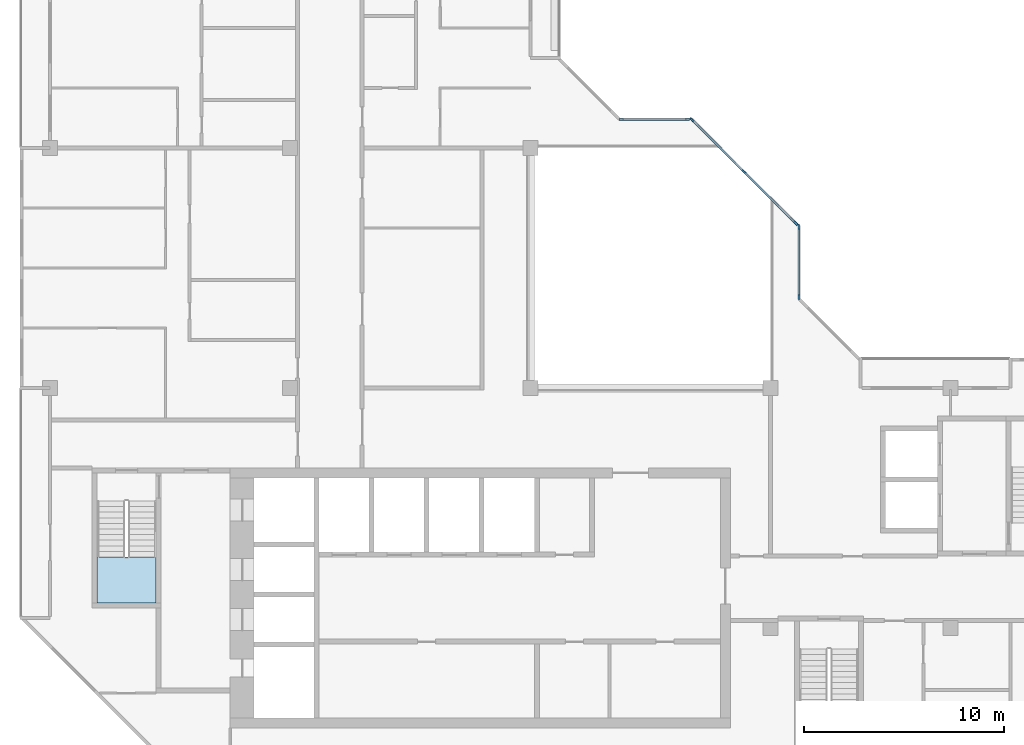
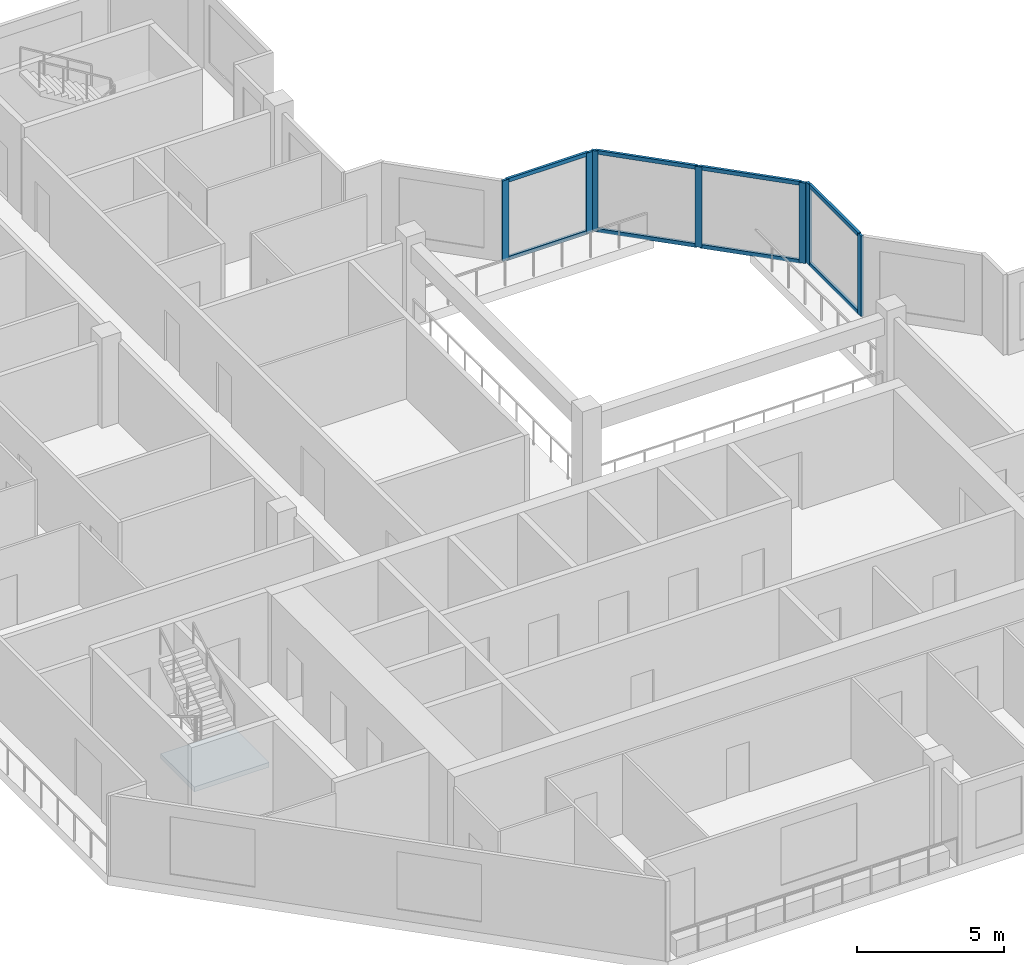
# One storey, part 2 of 12: 15 members, 1 slab, 4 elements without a shape of their own.
"""IFC4 building model written with IfcOpenShell, lengths in metres."""

from ifc_helpers import new_model, si_unit, direction, frame, origin, origin_2d, place, context, subcontext, project, spatial, polyline, rectangle, outline, extrude, material, layer, layer_set, material_profile, profile_set, type_object, element, aggregate, save


model = new_model("IFC4")

# Units and contexts
model_context = context("Model", 3, precision=1e-05, world=origin(), true_north=direction((0.0, 1.0)))
body_context = subcontext(model_context, "Body", "Model", "MODEL_VIEW")
ifc_project = project(units=[si_unit("LENGTHUNIT", "METRE"), si_unit("AREAUNIT", "SQUARE_METRE"), si_unit("VOLUMEUNIT", "CUBIC_METRE"), si_unit("PLANEANGLEUNIT", "RADIAN"), si_unit("MASSUNIT", "GRAM", prefix="KILO")], contexts=[model_context])

# Site, building, storey
site_placement = place(None, origin())
site = spatial("IfcSite", under=ifc_project, at=site_placement, CompositionType="ELEMENT")
building_placement = place(site_placement, origin())
building = spatial("IfcBuilding", under=site, at=building_placement, Name="Chenar Terraces", CompositionType="ELEMENT")
storey_placement = place(building_placement, frame((0.0, 0.0, 365.14990234375)))
storey = spatial("IfcBuildingStorey", under=building, at=storey_placement, Name="L85", CompositionType="ELEMENT", Elevation=365.14990234375)

# Curtain wall, members
ifc_material_1 = material(Name="Aluminium framed glazing", Category="aluminium")
ifc_layer_1 = layer(ifc_material_1, 0.14990234375)
ifc_layer_set_1 = layer_set([ifc_layer_1], Name="Aluminium framed glazing")
curtain_wall_type = type_object("IfcCurtainWallType", Name="Atrium upper-zone curtain wall", PredefinedType="NOTDEFINED", material=ifc_layer_set_1)
placement = place(storey_placement, origin())
curtain_wall_1 = element("IfcCurtainWall", 1, at=placement, inside=storey, type_object=curtain_wall_type, Name="Atrium upper-zone curtain wall", PredefinedType="NOTDEFINED")
ifc_material_2 = material(Name="Aluminium", Category="aluminium")
ifc_material_profile_1 = material_profile(ifc_material_2, rectangle(XDim=0.10009765625, YDim=0.239990234375, at=origin_2d()), Name="Atrium upper-zone glazing mullion 100 x 240")
ifc_profile_set_1 = profile_set([ifc_material_profile_1], Name="Aluminium")
member_type_1 = type_object("IfcMemberType", Name="Atrium upper-zone glazing mullion 100 x 240", PredefinedType="MULLION", material=ifc_profile_set_1)
member_1_placement = place(storey_placement, frame((37.425048828125, 28.550048828125, 0.0), z_axis=(0.0, 0.0, 1.0), x_axis=(-1.0, 0.0, 0.0)))
member_1 = element("IfcMember", 2, at=member_1_placement, type_object=member_type_1, Name="CW8-1 mullion 1", PredefinedType="MULLION", context=body_context, shape_type="SweptSolid", body=[
    extrude(rectangle(XDim=0.10009765625, YDim=0.239990234375, at=origin_2d()), origin(), (0.0, 0.0, 1.0), 3.35009765625),
])
member_2_placement = place(storey_placement, frame((37.425048828125, 32.050048828125, 0.0), z_axis=(0.0, 0.0, 1.0), x_axis=(-1.0, 0.0, 0.0)))
member_2 = element("IfcMember", 3, at=member_2_placement, type_object=member_type_1, Name="CW8-1 mullion 2", PredefinedType="MULLION", context=body_context, shape_type="SweptSolid", body=[
    extrude(rectangle(XDim=0.10009765625, YDim=0.239990234375, at=origin_2d()), origin(), (0.0, 0.0, 1.0), 3.35009765625),
])

curtain_wall_2 = element("IfcCurtainWall", 4, at=placement, inside=storey, type_object=curtain_wall_type, Name="Atrium upper-zone curtain wall", PredefinedType="NOTDEFINED")
member_3_placement = place(storey_placement, frame((37.270263671875, 32.2236328125, 0.0), z_axis=(0.0, 0.0, 1.0), x_axis=(-0.707106781187, -0.707106781187, 0.0)))
member_3 = element("IfcMember", 5, at=member_3_placement, type_object=member_type_1, Name="CW8-2 mullion 1", PredefinedType="MULLION", context=body_context, shape_type="SweptSolid", body=[
    extrude(rectangle(XDim=0.10009765625, YDim=0.239990234375, at=origin_2d()), origin(), (0.0, 0.0, 1.0), 3.35009765625),
])
member_4_placement = place(storey_placement, frame((34.67626953125, 34.817626953125, 0.0), z_axis=(0.0, 0.0, 1.0), x_axis=(-0.707106781187, -0.707106781187, 0.0)))
member_4 = element("IfcMember", 6, at=member_4_placement, type_object=member_type_1, Name="CW8-2 mullion 2", PredefinedType="MULLION", context=body_context, shape_type="SweptSolid", body=[
    extrude(rectangle(XDim=0.10009765625, YDim=0.239990234375, at=origin_2d()), origin(), (0.0, 0.0, 1.0), 3.35009765625),
])
member_5_placement = place(storey_placement, frame((32.082275390625, 37.41162109375, 0.0), z_axis=(0.0, 0.0, 1.0), x_axis=(-0.707106781187, -0.707106781187, 0.0)))
member_5 = element("IfcMember", 7, at=member_5_placement, type_object=member_type_1, Name="CW8-2 mullion 3", PredefinedType="MULLION", context=body_context, shape_type="SweptSolid", body=[
    extrude(rectangle(XDim=0.10009765625, YDim=0.239990234375, at=origin_2d()), origin(), (0.0, 0.0, 1.0), 3.35009765625),
])

curtain_wall_3 = element("IfcCurtainWall", 8, at=placement, inside=storey, type_object=curtain_wall_type, Name="Atrium upper-zone curtain wall", PredefinedType="NOTDEFINED")
member_6_placement = place(storey_placement, frame((31.85009765625, 37.425048828125, 0.0), z_axis=(0.0, 0.0, 1.0), x_axis=(0.0, -1.0, 0.0)))
member_6 = element("IfcMember", 9, at=member_6_placement, type_object=member_type_1, Name="CW8-3 mullion 1", PredefinedType="MULLION", context=body_context, shape_type="SweptSolid", body=[
    extrude(rectangle(XDim=0.10009765625, YDim=0.239990234375, at=origin_2d()), origin(), (0.0, 0.0, 1.0), 3.35009765625),
])
member_7_placement = place(storey_placement, frame((28.550048828125, 37.425048828125, 0.0), z_axis=(0.0, 0.0, 1.0), x_axis=(0.0, -1.0, 0.0)))
member_7 = element("IfcMember", 10, at=member_7_placement, type_object=member_type_1, Name="CW8-3 mullion 2", PredefinedType="MULLION", context=body_context, shape_type="SweptSolid", body=[
    extrude(rectangle(XDim=0.10009765625, YDim=0.239990234375, at=origin_2d()), origin(), (0.0, 0.0, 1.0), 3.35009765625),
])

# Member
ifc_material_3 = material(Name="Aluminium", Category="aluminium")
ifc_material_profile_2 = material_profile(ifc_material_3, rectangle(XDim=0.10009765625, YDim=0.159912109375, at=origin_2d()), Name="Atrium upper-zone glazing transom 100 x 160")
ifc_profile_set_2 = profile_set([ifc_material_profile_2], Name="Aluminium")
member_type_2 = type_object("IfcMemberType", Name="Atrium upper-zone glazing transom 100 x 160", PredefinedType="USERDEFINED", material=ifc_profile_set_2)
member_8_placement = place(storey_placement, frame((37.425048828125, 28.60009765625, 0.050048828125), z_axis=(0.0, 1.0, 0.0), x_axis=(-1.0, 0.0, 0.0)))
member_8 = element("IfcMember", 11, at=member_8_placement, type_object=member_type_2, Name="CW8-1 transom 1.1", ObjectType="TRANSOM", PredefinedType="USERDEFINED", context=body_context, shape_type="SweptSolid", body=[
    extrude(rectangle(XDim=0.10009765625, YDim=0.159912109375, at=origin_2d()), origin(), (0.0, 0.0, 1.0), 3.39990234375),
])

member_9_placement = place(storey_placement, frame((37.425048828125, 28.60009765625, 3.300048828125), z_axis=(0.0, 1.0, 0.0), x_axis=(-1.0, 0.0, 0.0)))
member_9 = element("IfcMember", 12, at=member_9_placement, type_object=member_type_2, Name="CW8-1 transom 1.2", ObjectType="TRANSOM", PredefinedType="USERDEFINED", context=body_context, shape_type="SweptSolid", body=[
    extrude(rectangle(XDim=0.10009765625, YDim=0.159912109375, at=origin_2d()), origin(), (0.0, 0.0, 1.0), 3.39990234375),
])

aggregate(curtain_wall_1, [member_1, member_2, member_8, member_9])

member_10_placement = place(storey_placement, frame((37.23486328125, 32.259033203125, 0.050048828125), z_axis=(-0.707106781187, 0.707106781187, 0.0), x_axis=(-0.707106781187, -0.707106781187, 0.0)))
member_10 = element("IfcMember", 13, at=member_10_placement, type_object=member_type_2, Name="CW8-2 transom 1.1", ObjectType="TRANSOM", PredefinedType="USERDEFINED", context=body_context, shape_type="SweptSolid", body=[
    extrude(rectangle(XDim=0.10009765625, YDim=0.159912109375, at=origin_2d()), origin(), (0.0, 0.0, 1.0), 3.568359375),
])

member_11_placement = place(storey_placement, frame((37.23486328125, 32.259033203125, 3.300048828125), z_axis=(-0.707106781187, 0.707106781187, 0.0), x_axis=(-0.707106781187, -0.707106781187, 0.0)))
member_11 = element("IfcMember", 14, at=member_11_placement, type_object=member_type_2, Name="CW8-2 transom 1.2", ObjectType="TRANSOM", PredefinedType="USERDEFINED", context=body_context, shape_type="SweptSolid", body=[
    extrude(rectangle(XDim=0.10009765625, YDim=0.159912109375, at=origin_2d()), origin(), (0.0, 0.0, 1.0), 3.568359375),
])

member_12_placement = place(storey_placement, frame((34.640869140625, 34.85302734375, 0.050048828125), z_axis=(-0.707106781187, 0.707106781187, 0.0), x_axis=(-0.707106781187, -0.707106781187, 0.0)))
member_12 = element("IfcMember", 15, at=member_12_placement, type_object=member_type_2, Name="CW8-2 transom 2.1", ObjectType="TRANSOM", PredefinedType="USERDEFINED", context=body_context, shape_type="SweptSolid", body=[
    extrude(rectangle(XDim=0.10009765625, YDim=0.159912109375, at=origin_2d()), origin(), (0.0, 0.0, 1.0), 3.568359375),
])

member_13_placement = place(storey_placement, frame((34.640869140625, 34.85302734375, 3.300048828125), z_axis=(-0.707106781187, 0.707106781187, 0.0), x_axis=(-0.707106781187, -0.707106781187, 0.0)))
member_13 = element("IfcMember", 16, at=member_13_placement, type_object=member_type_2, Name="CW8-2 transom 2.2", ObjectType="TRANSOM", PredefinedType="USERDEFINED", context=body_context, shape_type="SweptSolid", body=[
    extrude(rectangle(XDim=0.10009765625, YDim=0.159912109375, at=origin_2d()), origin(), (0.0, 0.0, 1.0), 3.568359375),
])

aggregate(curtain_wall_2, [member_3, member_4, member_5, member_10, member_11, member_12, member_13])

member_14_placement = place(storey_placement, frame((31.800048828125, 37.425048828125, 0.050048828125), z_axis=(-1.0, 0.0, 0.0), x_axis=(0.0, -1.0, 0.0)))
member_14 = element("IfcMember", 17, at=member_14_placement, type_object=member_type_2, Name="CW8-3 transom 1.1", ObjectType="TRANSOM", PredefinedType="USERDEFINED", context=body_context, shape_type="SweptSolid", body=[
    extrude(rectangle(XDim=0.10009765625, YDim=0.159912109375, at=origin_2d()), origin(), (0.0, 0.0, 1.0), 3.199951171875),
])

member_15_placement = place(storey_placement, frame((31.800048828125, 37.425048828125, 3.300048828125), z_axis=(-1.0, 0.0, 0.0), x_axis=(0.0, -1.0, 0.0)))
member_15 = element("IfcMember", 18, at=member_15_placement, type_object=member_type_2, Name="CW8-3 transom 1.2", ObjectType="TRANSOM", PredefinedType="USERDEFINED", context=body_context, shape_type="SweptSolid", body=[
    extrude(rectangle(XDim=0.10009765625, YDim=0.159912109375, at=origin_2d()), origin(), (0.0, 0.0, 1.0), 3.199951171875),
])

aggregate(curtain_wall_3, [member_6, member_7, member_14, member_15])

# Stair, slab
ifc_material_4 = material(Name="Reinforced concrete C40/50", Category="concrete")
stair_type = type_object("IfcStairType", Name="Core stair 1400 half-turn", PredefinedType="HALF_TURN_STAIR", material=ifc_material_4)
stair = element("IfcStair", 19, at=placement, inside=storey, type_object=stair_type, Name="L85 Stair 1", PredefinedType="HALF_TURN_STAIR")
ifc_material_5 = material(Name="Reinforced concrete C40/50", Category="concrete")
ifc_layer_2 = layer(ifc_material_5, 0.199951171875)
ifc_layer_set_2 = layer_set([ifc_layer_2], Name="Reinforced concrete C40/50")
slab_type = type_object("IfcSlabType", Name="Core stair landing 200", PredefinedType="LANDING", material=ifc_layer_set_2)
slab_placement = place(storey_placement, frame((0.0, 0.0, 1.675048828125)))
slab = element("IfcSlab", 20, at=slab_placement, type_object=slab_type, Name="ST1 landing 1", PredefinedType="LANDING", context=body_context, shape_type="SweptSolid", body=[
    extrude(outline(polyline([(2.35009765625, 15.550048828125), (2.35009765625, 13.25), (5.300048828125, 13.25), (5.300048828125, 15.550048828125), (2.35009765625, 15.550048828125)])), origin(), (0.0, 0.0, 1.0), 0.199951171875),
])
aggregate(stair, [slab])

save(model, "model.ifc")
